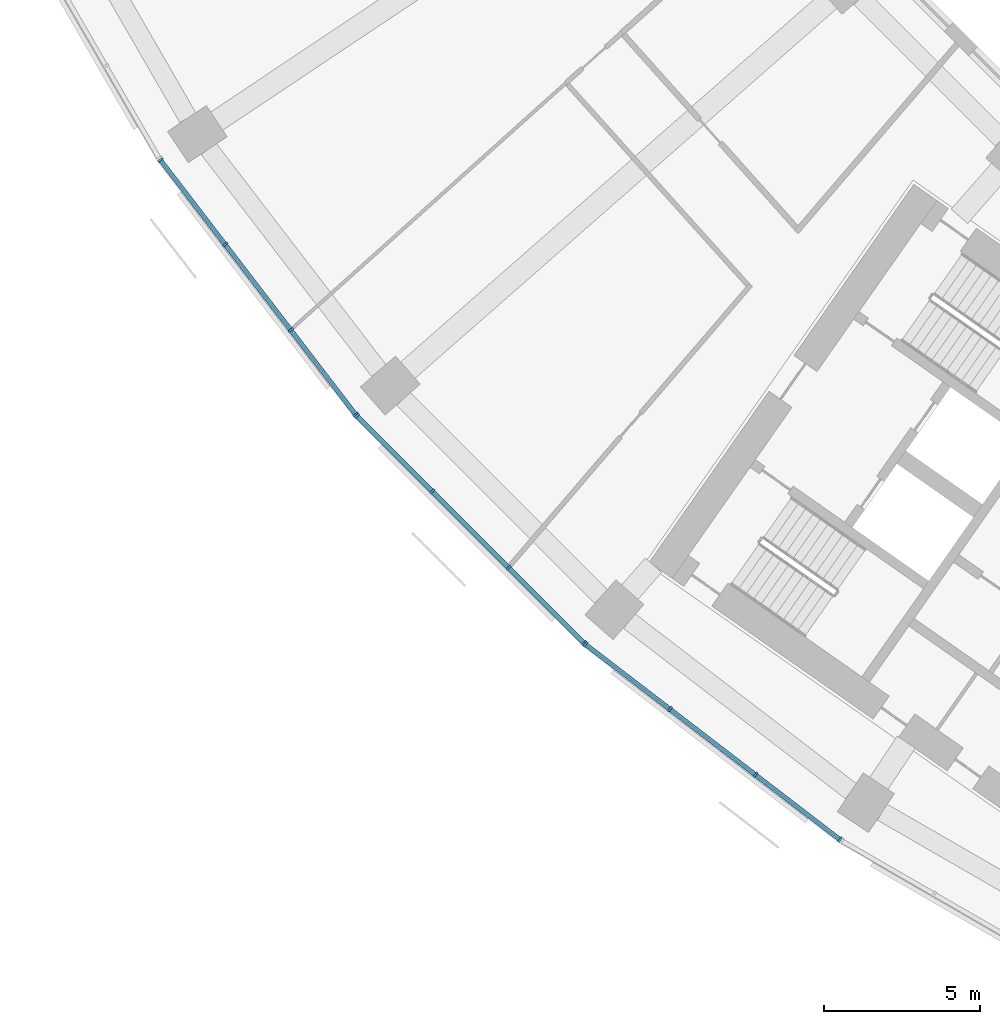
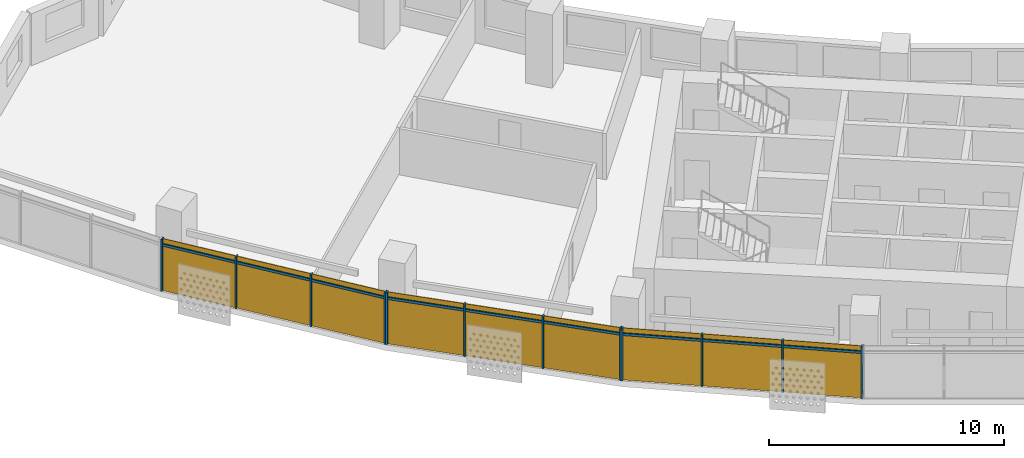
# One storey, part 19 of 29: 21 members, 3 curtain walls.
"""IFC4 building model written with IfcOpenShell, lengths in metres."""

from ifc_helpers import new_model, si_unit, direction, frame, origin, origin_2d, place, context, subcontext, project, spatial, rectangle, extrude, material, material_profile, profile_set, type_object, element, aggregate, save


model = new_model("IFC4")

# Units and contexts
model_context = context("Model", 3, precision=1e-05, world=origin(), true_north=direction((0.0, 1.0)))
body_context = subcontext(model_context, "Body", "Model", "MODEL_VIEW")
ifc_project = project(units=[si_unit("LENGTHUNIT", "METRE"), si_unit("AREAUNIT", "SQUARE_METRE"), si_unit("VOLUMEUNIT", "CUBIC_METRE"), si_unit("PLANEANGLEUNIT", "RADIAN"), si_unit("MASSUNIT", "GRAM", prefix="KILO")], contexts=[model_context])

# Member
ifc_material = material(Name="Aluminium 6063-T6 anodised", Category="aluminium")
ifc_material_profile_1 = material_profile(ifc_material, rectangle(XDim=0.199951171875, YDim=0.070068359375, at=origin_2d()))
ifc_profile_set_1 = profile_set([ifc_material_profile_1], Name="Aluminium 6063-T6 anodised")
member_type_1 = type_object("IfcMemberType", Name="Mullion 70 x 200 aluminium", PredefinedType="MULLION", material=ifc_profile_set_1)
site_placement = place(None, origin())
building_placement = place(site_placement, origin())
storey_placement = place(building_placement, frame((0.0, 0.0, 129.10009765625)))
member_1_placement = place(storey_placement, frame((-65.8349609375, -44.023681640625, 0.0), z_axis=(0.0, 0.0, 1.0), x_axis=(0.793353340291, 0.608761429009, 0.0)))
member_1 = element("IfcMember", 1, at=member_1_placement, type_object=member_type_1, Name="e-cw1-L29-out02/M00", PredefinedType="MULLION", context=body_context, shape_type="SweptSolid", body=[
    extrude(rectangle(XDim=0.199951171875, YDim=0.070068359375, at=origin_2d()), origin(), (0.0, 0.0, 1.0), 2.699951171875),
])

member_2_placement = place(storey_placement, frame((-63.751220703125, -46.739013671875, 0.0), z_axis=(0.0, 0.0, 1.0), x_axis=(0.793353340291, 0.608761429009, 0.0)))
member_2 = element("IfcMember", 2, at=member_2_placement, type_object=member_type_1, Name="e-cw1-L29-out02/M01", PredefinedType="MULLION", context=body_context, shape_type="SweptSolid", body=[
    extrude(rectangle(XDim=0.199951171875, YDim=0.070068359375, at=origin_2d()), origin(), (0.0, 0.0, 1.0), 2.699951171875),
])

member_3_placement = place(storey_placement, frame((-61.646484375, -49.482177734375, 0.0), z_axis=(0.0, 0.0, 1.0), x_axis=(0.793353340291, 0.608761429009, 0.0)))
member_3 = element("IfcMember", 3, at=member_3_placement, type_object=member_type_1, Name="e-cw1-L29-out02/M02", PredefinedType="MULLION", context=body_context, shape_type="SweptSolid", body=[
    extrude(rectangle(XDim=0.199951171875, YDim=0.070068359375, at=origin_2d()), origin(), (0.0, 0.0, 1.0), 2.699951171875),
])

member_4_placement = place(storey_placement, frame((-59.56298828125, -52.197509765625, 0.0), z_axis=(0.0, 0.0, 1.0), x_axis=(0.793353340291, 0.608761429009, 0.0)))
member_4 = element("IfcMember", 4, at=member_4_placement, type_object=member_type_1, Name="e-cw1-L29-out02/M03", PredefinedType="MULLION", context=body_context, shape_type="SweptSolid", body=[
    extrude(rectangle(XDim=0.199951171875, YDim=0.070068359375, at=origin_2d()), origin(), (0.0, 0.0, 1.0), 2.699951171875),
])

member_5_placement = place(storey_placement, frame((-59.525390625, -52.240234375, 0.0), z_axis=(0.0, 0.0, 1.0), x_axis=(0.707106781187, 0.707106781187, 0.0)))
member_5 = element("IfcMember", 5, at=member_5_placement, type_object=member_type_1, Name="e-cw1-L29-out03/M00", PredefinedType="MULLION", context=body_context, shape_type="SweptSolid", body=[
    extrude(rectangle(XDim=0.199951171875, YDim=0.070068359375, at=origin_2d()), origin(), (0.0, 0.0, 1.0), 2.699951171875),
])

member_6_placement = place(storey_placement, frame((-57.105224609375, -54.660400390625, 0.0), z_axis=(0.0, 0.0, 1.0), x_axis=(0.707106781187, 0.707106781187, 0.0)))
member_6 = element("IfcMember", 6, at=member_6_placement, type_object=member_type_1, Name="e-cw1-L29-out03/M01", PredefinedType="MULLION", context=body_context, shape_type="SweptSolid", body=[
    extrude(rectangle(XDim=0.199951171875, YDim=0.070068359375, at=origin_2d()), origin(), (0.0, 0.0, 1.0), 2.699951171875),
])

member_7_placement = place(storey_placement, frame((-54.660400390625, -57.105224609375, 0.0), z_axis=(0.0, 0.0, 1.0), x_axis=(0.707106781187, 0.707106781187, 0.0)))
member_7 = element("IfcMember", 7, at=member_7_placement, type_object=member_type_1, Name="e-cw1-L29-out03/M02", PredefinedType="MULLION", context=body_context, shape_type="SweptSolid", body=[
    extrude(rectangle(XDim=0.199951171875, YDim=0.070068359375, at=origin_2d()), origin(), (0.0, 0.0, 1.0), 2.699951171875),
])

member_8_placement = place(storey_placement, frame((-52.240234375, -59.525390625, 0.0), z_axis=(0.0, 0.0, 1.0), x_axis=(0.707106781187, 0.707106781187, 0.0)))
member_8 = element("IfcMember", 8, at=member_8_placement, type_object=member_type_1, Name="e-cw1-L29-out03/M03", PredefinedType="MULLION", context=body_context, shape_type="SweptSolid", body=[
    extrude(rectangle(XDim=0.199951171875, YDim=0.070068359375, at=origin_2d()), origin(), (0.0, 0.0, 1.0), 2.699951171875),
])

member_9_placement = place(storey_placement, frame((-52.197509765625, -59.56298828125, 0.0), z_axis=(0.0, 0.0, 1.0), x_axis=(0.608761429009, 0.793353340291, 0.0)))
member_9 = element("IfcMember", 9, at=member_9_placement, type_object=member_type_1, Name="e-cw1-L29-out04/M00", PredefinedType="MULLION", context=body_context, shape_type="SweptSolid", body=[
    extrude(rectangle(XDim=0.199951171875, YDim=0.070068359375, at=origin_2d()), origin(), (0.0, 0.0, 1.0), 2.699951171875),
])

member_10_placement = place(storey_placement, frame((-49.482177734375, -61.646484375, 0.0), z_axis=(0.0, 0.0, 1.0), x_axis=(0.608761429009, 0.793353340291, 0.0)))
member_10 = element("IfcMember", 10, at=member_10_placement, type_object=member_type_1, Name="e-cw1-L29-out04/M01", PredefinedType="MULLION", context=body_context, shape_type="SweptSolid", body=[
    extrude(rectangle(XDim=0.199951171875, YDim=0.070068359375, at=origin_2d()), origin(), (0.0, 0.0, 1.0), 2.699951171875),
])

member_11_placement = place(storey_placement, frame((-46.739013671875, -63.751220703125, 0.0), z_axis=(0.0, 0.0, 1.0), x_axis=(0.608761429009, 0.793353340291, 0.0)))
member_11 = element("IfcMember", 11, at=member_11_placement, type_object=member_type_1, Name="e-cw1-L29-out04/M02", PredefinedType="MULLION", context=body_context, shape_type="SweptSolid", body=[
    extrude(rectangle(XDim=0.199951171875, YDim=0.070068359375, at=origin_2d()), origin(), (0.0, 0.0, 1.0), 2.699951171875),
])

member_12_placement = place(storey_placement, frame((-44.023681640625, -65.8349609375, 0.0), z_axis=(0.0, 0.0, 1.0), x_axis=(0.608761429009, 0.793353340291, 0.0)))
member_12 = element("IfcMember", 12, at=member_12_placement, type_object=member_type_1, Name="e-cw1-L29-out04/M03", PredefinedType="MULLION", context=body_context, shape_type="SweptSolid", body=[
    extrude(rectangle(XDim=0.199951171875, YDim=0.070068359375, at=origin_2d()), origin(), (0.0, 0.0, 1.0), 2.699951171875),
])

ifc_material_profile_2 = material_profile(ifc_material, rectangle(XDim=0.139892578125, YDim=0.1201171875, at=origin_2d()))
ifc_profile_set_2 = profile_set([ifc_material_profile_2], Name="Aluminium 6063-T6 anodised")
member_type_2 = type_object("IfcMemberType", Name="Transom 120 x 140 aluminium", PredefinedType="USERDEFINED", material=ifc_profile_set_2)
member_13_placement = place(storey_placement, frame((-65.8134765625, -44.05126953125, 2.39990234375), z_axis=(0.608714331426, -0.793389477316, 0.0), x_axis=(0.793389477316, 0.608714331426, 0.0)))
member_13 = element("IfcMember", 13, at=member_13_placement, type_object=member_type_2, Name="e-cw1-L29-out02/T00", ObjectType="TRANSOM", PredefinedType="USERDEFINED", context=body_context, shape_type="SweptSolid", body=[
    extrude(rectangle(XDim=0.139892578125, YDim=0.1201171875, at=origin_2d()), origin(), (0.0, 0.0, 1.0), 3.3525390625),
])

member_14_placement = place(storey_placement, frame((-63.72998046875, -46.766845703125, 2.39990234375), z_axis=(0.608773427772, -0.793344133173, 0.0), x_axis=(0.793344133173, 0.608773427772, 0.0)))
member_14 = element("IfcMember", 14, at=member_14_placement, type_object=member_type_2, Name="e-cw1-L29-out02/T01", ObjectType="TRANSOM", PredefinedType="USERDEFINED", context=body_context, shape_type="SweptSolid", body=[
    extrude(rectangle(XDim=0.139892578125, YDim=0.1201171875, at=origin_2d()), origin(), (0.0, 0.0, 1.0), 3.387451171875),
])

member_15_placement = place(storey_placement, frame((-61.625244140625, -49.509765625, 2.39990234375), z_axis=(0.608760167055, -0.793354308621, 0.0), x_axis=(0.793354308621, 0.608760167055, 0.0)))
member_15 = element("IfcMember", 15, at=member_15_placement, type_object=member_type_2, Name="e-cw1-L29-out02/T02", ObjectType="TRANSOM", PredefinedType="USERDEFINED", context=body_context, shape_type="SweptSolid", body=[
    extrude(rectangle(XDim=0.139892578125, YDim=0.1201171875, at=origin_2d()), origin(), (0.0, 0.0, 1.0), 3.352783203125),
])

member_16_placement = place(storey_placement, frame((-59.500732421875, -52.264892578125, 2.39990234375), z_axis=(0.707106781187, -0.707106781187, 0.0), x_axis=(0.707106781187, 0.707106781187, 0.0)))
member_16 = element("IfcMember", 16, at=member_16_placement, type_object=member_type_2, Name="e-cw1-L29-out03/T00", ObjectType="TRANSOM", PredefinedType="USERDEFINED", context=body_context, shape_type="SweptSolid", body=[
    extrude(rectangle(XDim=0.139892578125, YDim=0.1201171875, at=origin_2d()), origin(), (0.0, 0.0, 1.0), 3.3525390625),
])

member_17_placement = place(storey_placement, frame((-57.08056640625, -54.68505859375, 2.39990234375), z_axis=(0.707106781187, -0.707106781187, 0.0), x_axis=(0.707106781187, 0.707106781187, 0.0)))
member_17 = element("IfcMember", 17, at=member_17_placement, type_object=member_type_2, Name="e-cw1-L29-out03/T01", ObjectType="TRANSOM", PredefinedType="USERDEFINED", context=body_context, shape_type="SweptSolid", body=[
    extrude(rectangle(XDim=0.139892578125, YDim=0.1201171875, at=origin_2d()), origin(), (0.0, 0.0, 1.0), 3.3876953125),
])

member_18_placement = place(storey_placement, frame((-54.635498046875, -57.130126953125, 2.39990234375), z_axis=(0.707106781187, -0.707106781187, 0.0), x_axis=(0.707106781187, 0.707106781187, 0.0)))
member_18 = element("IfcMember", 18, at=member_18_placement, type_object=member_type_2, Name="e-cw1-L29-out03/T02", ObjectType="TRANSOM", PredefinedType="USERDEFINED", context=body_context, shape_type="SweptSolid", body=[
    extrude(rectangle(XDim=0.139892578125, YDim=0.1201171875, at=origin_2d()), origin(), (0.0, 0.0, 1.0), 3.3525390625),
])

member_19_placement = place(storey_placement, frame((-52.169677734375, -59.584228515625, 2.39990234375), z_axis=(0.793354308621, -0.608760167055, 0.0), x_axis=(0.608760167055, 0.793354308621, 0.0)))
member_19 = element("IfcMember", 19, at=member_19_placement, type_object=member_type_2, Name="e-cw1-L29-out04/T00", ObjectType="TRANSOM", PredefinedType="USERDEFINED", context=body_context, shape_type="SweptSolid", body=[
    extrude(rectangle(XDim=0.139892578125, YDim=0.1201171875, at=origin_2d()), origin(), (0.0, 0.0, 1.0), 3.352783203125),
])

member_20_placement = place(storey_placement, frame((-49.454345703125, -61.667724609375, 2.39990234375), z_axis=(0.793344133173, -0.608773427772, 0.0), x_axis=(0.608773427772, 0.793344133173, 0.0)))
member_20 = element("IfcMember", 20, at=member_20_placement, type_object=member_type_2, Name="e-cw1-L29-out04/T01", ObjectType="TRANSOM", PredefinedType="USERDEFINED", context=body_context, shape_type="SweptSolid", body=[
    extrude(rectangle(XDim=0.139892578125, YDim=0.1201171875, at=origin_2d()), origin(), (0.0, 0.0, 1.0), 3.387451171875),
])

member_21_placement = place(storey_placement, frame((-46.711181640625, -63.772705078125, 2.39990234375), z_axis=(0.793389477316, -0.608714331426, 0.0), x_axis=(0.608714331426, 0.793389477316, 0.0)))
member_21 = element("IfcMember", 21, at=member_21_placement, type_object=member_type_2, Name="e-cw1-L29-out04/T02", ObjectType="TRANSOM", PredefinedType="USERDEFINED", context=body_context, shape_type="SweptSolid", body=[
    extrude(rectangle(XDim=0.139892578125, YDim=0.1201171875, at=origin_2d()), origin(), (0.0, 0.0, 1.0), 3.3525390625),
])

# Site, building, storey
site = spatial("IfcSite", under=ifc_project, at=site_placement, CompositionType="ELEMENT")
building = spatial("IfcBuilding", under=site, at=building_placement, Name="Qamariyya Broadcast Tower", CompositionType="ELEMENT")
storey = spatial("IfcBuildingStorey", under=building, at=storey_placement, Name="L29", CompositionType="ELEMENT", Elevation=129.10009765625)

# Curtain wall
curtain_wall_type = type_object("IfcCurtainWallType", Name="Unitised curtain wall, anodised aluminium", PredefinedType="NOTDEFINED", material=ifc_material)
curtain_wall_1_placement = place(storey_placement, origin())
curtain_wall_1 = element("IfcCurtainWall", 22, at=curtain_wall_1_placement, inside=storey, type_object=curtain_wall_type, Name="e-cw1-L29-out02", PredefinedType="NOTDEFINED", context=body_context, shape_type="SweptSolid", body=[
    extrude(rectangle(XDim=3.352783203125, YDim=0.031982421875, at=origin_2d()), frame((-64.793212890625, -45.38134765625, 0.0), x_axis=(0.608760568165, -0.793354000839, 0.0)), (0.0, 0.0, 1.0), 2.340087890625),
    extrude(rectangle(XDim=3.352783203125, YDim=0.031982421875, at=origin_2d()), frame((-64.793212890625, -45.38134765625, 2.4599609375), x_axis=(0.608760568165, -0.793354000839, 0.0)), (0.0, 0.0, 1.0), 0.239990234375),
    extrude(rectangle(XDim=3.3876953125, YDim=0.031982421875, at=origin_2d()), frame((-62.69873046875, -48.110595703125, 0.0), x_axis=(0.608760568165, -0.793354000839, 0.0)), (0.0, 0.0, 1.0), 2.340087890625),
    extrude(rectangle(XDim=3.3876953125, YDim=0.031982421875, at=origin_2d()), frame((-62.69873046875, -48.110595703125, 2.4599609375), x_axis=(0.608760568165, -0.793354000839, 0.0)), (0.0, 0.0, 1.0), 0.239990234375),
    extrude(rectangle(XDim=3.352783203125, YDim=0.031982421875, at=origin_2d()), frame((-60.6044921875, -50.83984375, 0.0), x_axis=(0.608760568165, -0.793354000839, 0.0)), (0.0, 0.0, 1.0), 2.340087890625),
    extrude(rectangle(XDim=3.352783203125, YDim=0.031982421875, at=origin_2d()), frame((-60.6044921875, -50.83984375, 2.4599609375), x_axis=(0.608760568165, -0.793354000839, 0.0)), (0.0, 0.0, 1.0), 0.239990234375),
])

aggregate(curtain_wall_1, [member_1, member_2, member_3, member_4, member_13, member_14, member_15])

curtain_wall_2_placement = place(storey_placement, origin())
curtain_wall_2 = element("IfcCurtainWall", 23, at=curtain_wall_2_placement, inside=storey, type_object=curtain_wall_type, Name="e-cw1-L29-out03", PredefinedType="NOTDEFINED", context=body_context, shape_type="SweptSolid", body=[
    extrude(rectangle(XDim=3.352783203125, YDim=0.031982421875, at=origin_2d()), frame((-58.3154296875, -53.4501953125, 0.0), x_axis=(0.707106781187, -0.707106781187, 0.0)), (0.0, 0.0, 1.0), 2.340087890625),
    extrude(rectangle(XDim=3.352783203125, YDim=0.031982421875, at=origin_2d()), frame((-58.3154296875, -53.4501953125, 2.4599609375), x_axis=(0.707106781187, -0.707106781187, 0.0)), (0.0, 0.0, 1.0), 0.239990234375),
    extrude(rectangle(XDim=3.3876953125, YDim=0.031982421875, at=origin_2d()), frame((-55.8828125, -55.8828125, 0.0), x_axis=(0.707106781187, -0.707106781187, 0.0)), (0.0, 0.0, 1.0), 2.340087890625),
    extrude(rectangle(XDim=3.3876953125, YDim=0.031982421875, at=origin_2d()), frame((-55.8828125, -55.8828125, 2.4599609375), x_axis=(0.707106781187, -0.707106781187, 0.0)), (0.0, 0.0, 1.0), 0.239990234375),
    extrude(rectangle(XDim=3.352783203125, YDim=0.031982421875, at=origin_2d()), frame((-53.4501953125, -58.3154296875, 0.0), x_axis=(0.707106781187, -0.707106781187, 0.0)), (0.0, 0.0, 1.0), 2.340087890625),
    extrude(rectangle(XDim=3.352783203125, YDim=0.031982421875, at=origin_2d()), frame((-53.4501953125, -58.3154296875, 2.4599609375), x_axis=(0.707106781187, -0.707106781187, 0.0)), (0.0, 0.0, 1.0), 0.239990234375),
])

aggregate(curtain_wall_2, [member_5, member_6, member_7, member_8, member_16, member_17, member_18])

curtain_wall_3_placement = place(storey_placement, origin())
curtain_wall_3 = element("IfcCurtainWall", 24, at=curtain_wall_3_placement, inside=storey, type_object=curtain_wall_type, Name="e-cw1-L29-out04", PredefinedType="NOTDEFINED", context=body_context, shape_type="SweptSolid", body=[
    extrude(rectangle(XDim=3.352783203125, YDim=0.031982421875, at=origin_2d()), frame((-50.83984375, -60.6044921875, 0.0), x_axis=(0.793354000839, -0.608760568165, 0.0)), (0.0, 0.0, 1.0), 2.340087890625),
    extrude(rectangle(XDim=3.352783203125, YDim=0.031982421875, at=origin_2d()), frame((-50.83984375, -60.6044921875, 2.4599609375), x_axis=(0.793354000839, -0.608760568165, 0.0)), (0.0, 0.0, 1.0), 0.239990234375),
    extrude(rectangle(XDim=3.3876953125, YDim=0.031982421875, at=origin_2d()), frame((-48.110595703125, -62.69873046875, 0.0), x_axis=(0.793354000839, -0.608760568165, 0.0)), (0.0, 0.0, 1.0), 2.340087890625),
    extrude(rectangle(XDim=3.3876953125, YDim=0.031982421875, at=origin_2d()), frame((-48.110595703125, -62.69873046875, 2.4599609375), x_axis=(0.793354000839, -0.608760568165, 0.0)), (0.0, 0.0, 1.0), 0.239990234375),
    extrude(rectangle(XDim=3.352783203125, YDim=0.031982421875, at=origin_2d()), frame((-45.38134765625, -64.793212890625, 0.0), x_axis=(0.793354000839, -0.608760568165, 0.0)), (0.0, 0.0, 1.0), 2.340087890625),
    extrude(rectangle(XDim=3.352783203125, YDim=0.031982421875, at=origin_2d()), frame((-45.38134765625, -64.793212890625, 2.4599609375), x_axis=(0.793354000839, -0.608760568165, 0.0)), (0.0, 0.0, 1.0), 0.239990234375),
])

aggregate(curtain_wall_3, [member_9, member_10, member_11, member_12, member_19, member_20, member_21])

save(model, "model.ifc")
